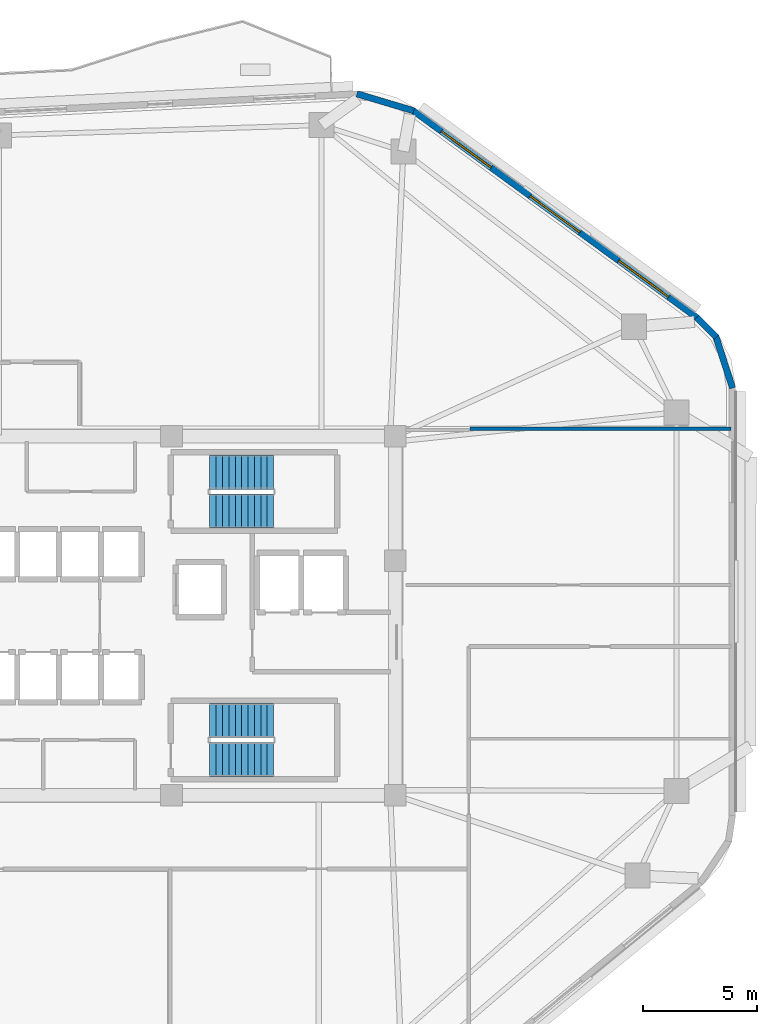
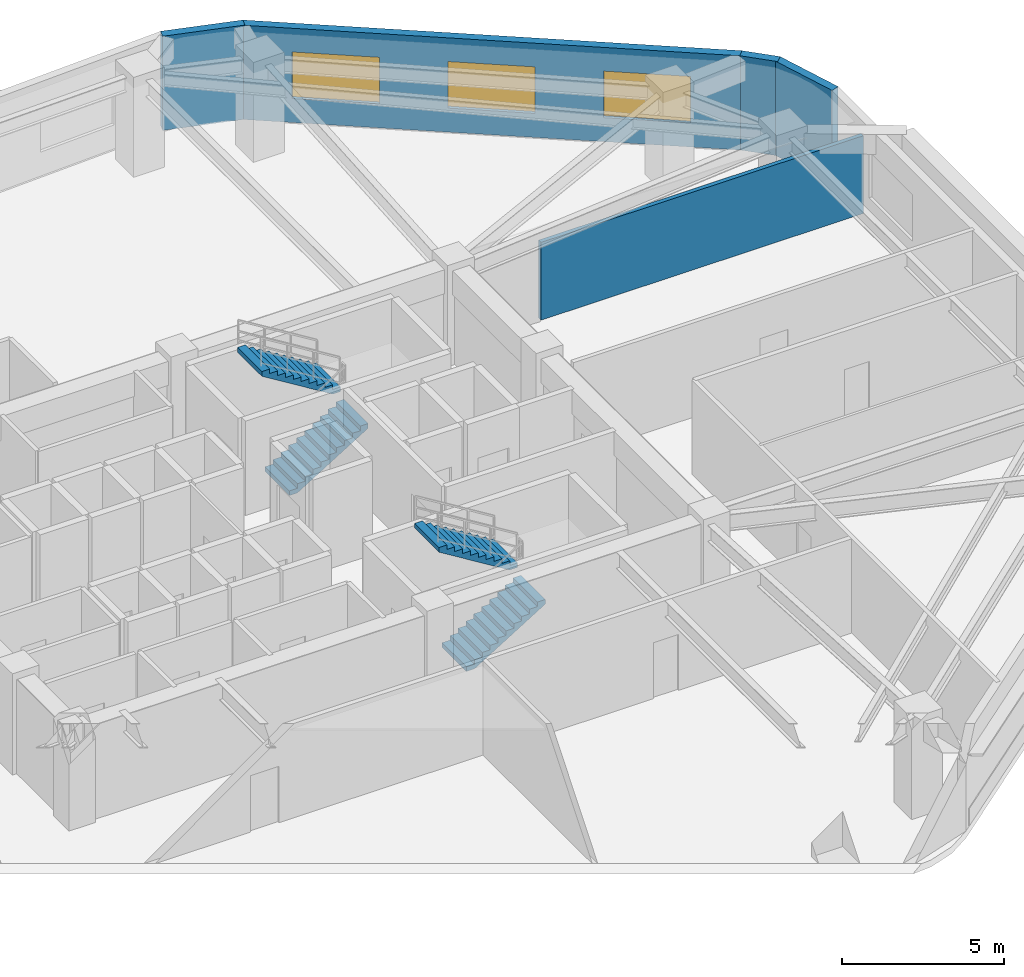
# One storey, part 6 of 9: 5 walls, 4 stair flights, 3 windows, 3 openings, 2 elements without a shape of their own.
"""IFC4 building model written with IfcOpenShell, lengths in metres."""

from ifc_helpers import new_model, si_unit, direction, frame, frame_2d, origin, place, context, subcontext, project, spatial, polyline, rectangle, outline, extrude, material, layer, layer_set, type_object, element, fill, aggregate, save


model = new_model("IFC4")

# Units and contexts
model_context = context("Model", 3, precision=1e-05, world=origin(), true_north=direction((0.0, 1.0)))
body_context = subcontext(model_context, "Body", "Model", "MODEL_VIEW")
ifc_project = project(units=[si_unit("LENGTHUNIT", "METRE"), si_unit("AREAUNIT", "SQUARE_METRE"), si_unit("VOLUMEUNIT", "CUBIC_METRE"), si_unit("PLANEANGLEUNIT", "RADIAN"), si_unit("MASSUNIT", "GRAM", prefix="KILO")], contexts=[model_context])

# Site, building, storey
site_placement = place(None, origin())
site = spatial("IfcSite", under=ifc_project, at=site_placement, CompositionType="ELEMENT")
building_placement = place(site_placement, origin())
building = spatial("IfcBuilding", under=site, at=building_placement, Name="Zulverin Broadcast Headquarters", CompositionType="ELEMENT")
storey_placement = place(building_placement, frame((0.0, 0.0, 144.0)))
storey = spatial("IfcBuildingStorey", under=building, at=storey_placement, Name="L36", CompositionType="ELEMENT", Elevation=144.0)

# Wall, openings, windows
ifc_material_1 = material(Name="Insulated pale-metal clad concrete spandrel C40/50", Category="concrete")
ifc_layer_1 = layer(ifc_material_1, 0.280029296875, Name="Insulated pale-metal clad concrete spandrel C40/50", Category="concrete")
ifc_layer_set_1 = layer_set([ifc_layer_1], Name="Insulated pale-metal clad concrete spandrel C40/50")
wall_type_1 = type_object("IfcWallType", Name="WL-EXT-280", PredefinedType="STANDARD", material=ifc_layer_set_1)
wall_1_placement = place(storey_placement, frame((61.516357421875, 38.26708984375, 0.0), z_axis=(0.0, 0.0, 1.0), x_axis=(-0.807812505785, 0.589439526582, 0.0)))
wall_1 = element("IfcWall", 1, at=wall_1_placement, inside=storey, type_object=wall_type_1, Name="L36 Pale-Metal Clad Spandrel Wall 4", PredefinedType="STANDARD", context=body_context, shape_type="SweptSolid", body=[
    extrude(rectangle(XDim=15.448486328125, YDim=0.280029296875, at=frame_2d((7.72412109375, 0.0))), origin(), (0.0, 0.0, 1.0), 3.5400390625),
])
opening_1_placement = place(wall_1_placement, frame((1.55810546875, 0.0, 0.89990234375)))
opening_1 = element("IfcOpeningElement", 2, at=opening_1_placement, cuts=wall_1, Name="Opening W-L36-E41", PredefinedType="OPENING", context=body_context, shape_type="SweptSolid", body=[
    extrude(rectangle(XDim=2.699951171875, YDim=1.75, at=frame_2d((1.35009765625, 0.875))), frame((0.0, 0.14990234375, 0.0), z_axis=(0.0, -1.0, 0.0), x_axis=(1.0, 0.0, 0.0)), (0.0, 0.0, 1.0), 0.300048828125),
])
opening_2_placement = place(wall_1_placement, frame((6.374267578125, 0.0, 0.89990234375)))
opening_2 = element("IfcOpeningElement", 3, at=opening_2_placement, cuts=wall_1, Name="Opening W-L36-E42", PredefinedType="OPENING", context=body_context, shape_type="SweptSolid", body=[
    extrude(rectangle(XDim=2.699951171875, YDim=1.75, at=frame_2d((1.35009765625, 0.875))), frame((0.0, 0.14990234375, 0.0), z_axis=(0.0, -1.0, 0.0), x_axis=(1.0, 0.0, 0.0)), (0.0, 0.0, 1.0), 0.300048828125),
])
opening_3_placement = place(wall_1_placement, frame((11.1904296875, 0.0, 0.89990234375)))
opening_3 = element("IfcOpeningElement", 4, at=opening_3_placement, cuts=wall_1, Name="Opening W-L36-E43", PredefinedType="OPENING", context=body_context, shape_type="SweptSolid", body=[
    extrude(rectangle(XDim=2.699951171875, YDim=1.75, at=frame_2d((1.35009765625, 0.875))), frame((0.0, 0.14990234375, 0.0), z_axis=(0.0, -1.0, 0.0), x_axis=(1.0, 0.0, 0.0)), (0.0, 0.0, 1.0), 0.300048828125),
])
ifc_material_2 = material(Name="Pale anodized aluminium frame with solar-control low-E double glazing", Category="aluminium")
window_type = type_object("IfcWindowType", Name="WIN-TWR-2700", PartitioningType="SINGLE_PANEL", PredefinedType="WINDOW", material=ifc_material_2)
window_1_placement = place(opening_1_placement, origin())
window_1 = element("IfcWindow", 5, at=window_1_placement, inside=storey, type_object=window_type, Name="L36 Ribbon Glazing Window 4 1", OverallHeight=1.75, OverallWidth=2.699951171875, PartitioningType="SINGLE_PANEL", PredefinedType="WINDOW", context=body_context, shape_type="SweptSolid", body=[
    extrude(rectangle(XDim=2.699951171875, YDim=1.75, at=frame_2d((1.35009765625, 0.875))), frame((0.0, 0.030029296875, 0.0), z_axis=(0.0, -1.0, 0.0), x_axis=(1.0, 0.0, 0.0)), (0.0, 0.0, 1.0), 0.06005859375),
])
fill(opening_1, window_1)
window_2_placement = place(opening_2_placement, origin())
window_2 = element("IfcWindow", 6, at=window_2_placement, inside=storey, type_object=window_type, Name="L36 Ribbon Glazing Window 4 2", OverallHeight=1.75, OverallWidth=2.699951171875, PartitioningType="SINGLE_PANEL", PredefinedType="WINDOW", context=body_context, shape_type="SweptSolid", body=[
    extrude(rectangle(XDim=2.699951171875, YDim=1.75, at=frame_2d((1.35009765625, 0.875))), frame((0.0, 0.030029296875, 0.0), z_axis=(0.0, -1.0, 0.0), x_axis=(1.0, 0.0, 0.0)), (0.0, 0.0, 1.0), 0.06005859375),
])
fill(opening_2, window_2)
window_3_placement = place(opening_3_placement, origin())
window_3 = element("IfcWindow", 7, at=window_3_placement, inside=storey, type_object=window_type, Name="L36 Ribbon Glazing Window 4 3", OverallHeight=1.75, OverallWidth=2.699951171875, PartitioningType="SINGLE_PANEL", PredefinedType="WINDOW", context=body_context, shape_type="SweptSolid", body=[
    extrude(rectangle(XDim=2.699951171875, YDim=1.75, at=frame_2d((1.35009765625, 0.875))), frame((0.0, 0.030029296875, 0.0), z_axis=(0.0, -1.0, 0.0), x_axis=(1.0, 0.0, 0.0)), (0.0, 0.0, 1.0), 0.06005859375),
])
fill(opening_3, window_3)

# Walls
wall_2_placement = place(storey_placement, frame((63.06689453125, 35.186767578125, 0.0), z_axis=(0.0, 0.0, 1.0), x_axis=(-0.308390504294, 0.951259847182, 0.0)))
element("IfcWall", 8, at=wall_2_placement, inside=storey, type_object=wall_type_1, Name="L36 Wind-Shaped Corner Spandrel Wall 3-1", PredefinedType="STANDARD", context=body_context, shape_type="SweptSolid", body=[
    extrude(rectangle(XDim=2.405029296875, YDim=0.280029296875, at=frame_2d((1.20263671875, 0.0))), origin(), (0.0, 0.0, 1.0), 3.5400390625),
])
wall_3_placement = place(storey_placement, frame((62.359130859375, 37.419189453125, 0.0), z_axis=(0.0, 0.0, 1.0), x_axis=(-0.706003104649, 0.708208737751, 0.0)))
element("IfcWall", 9, at=wall_3_placement, inside=storey, type_object=wall_type_1, Name="L36 Wind-Shaped Corner Spandrel Wall 3-2", PredefinedType="STANDARD", context=body_context, shape_type="SweptSolid", body=[
    extrude(rectangle(XDim=1.217529296875, YDim=0.280029296875, at=frame_2d((0.60888671875, 0.0))), origin(), (0.0, 0.0, 1.0), 3.5400390625),
])
wall_4_placement = place(storey_placement, frame((49.079345703125, 47.35205078125, 0.0), z_axis=(0.0, 0.0, 1.0), x_axis=(-0.958207501709, 0.286074087726, 0.0)))
element("IfcWall", 10, at=wall_4_placement, inside=storey, type_object=wall_type_1, Name="L36 Wind-Shaped Corner Spandrel Wall 4-1", PredefinedType="STANDARD", context=body_context, shape_type="SweptSolid", body=[
    extrude(rectangle(XDim=2.60302734375, YDim=0.280029296875, at=frame_2d((1.301513671875, 0.0))), origin(), (0.0, 0.0, 1.0), 3.5400390625),
])
ifc_material_3 = material(Name="Fire-rated gypsum stud partition", Category="gypsum")
ifc_layer_2 = layer(ifc_material_3, 0.14990234375, Name="Fire-rated gypsum stud partition", Category="gypsum")
ifc_layer_set_2 = layer_set([ifc_layer_2], Name="Fire-rated gypsum stud partition")
wall_type_2 = type_object("IfcWallType", Name="WL-PART-150", PredefinedType="PARTITIONING", material=ifc_layer_set_2)
wall_5_placement = place(storey_placement, frame((51.541015625, 33.39990234375, 0.0), z_axis=(0.0, 0.0, 1.0), x_axis=(1.0, 0.0, 0.0)))
element("IfcWall", 11, at=wall_5_placement, inside=storey, type_object=wall_type_2, Name="L36 Room Partition Wall RP-17", PredefinedType="PARTITIONING", context=body_context, shape_type="SweptSolid", body=[
    extrude(rectangle(XDim=11.4541015625, YDim=0.14990234375, at=frame_2d((5.72705078125, 0.0))), origin(), (0.0, 0.0, 1.0), 2.9228515625),
])

# Stair, stair flights
ifc_material_4 = material(Name="Concrete C40/50", Category="concrete")
stair_type = type_object("IfcStairType", Name="ST-CORE-1500", PredefinedType="HALF_TURN_STAIR", material=ifc_material_4)
stair_1_placement = place(storey_placement, origin())
stair_1 = element("IfcStair", 12, at=stair_1_placement, inside=storey, type_object=stair_type, Name="L36 Core Exit Stair ST-1", PredefinedType="HALF_TURN_STAIR")
stair_flight_type = type_object("IfcStairFlightType", Name="SF-CORE-1500", PredefinedType="STRAIGHT", material=ifc_material_4)
stair_flight_1_placement = place(storey_placement, frame((40.1298828125, 29.800048828125, 0.0), z_axis=(0.0, 0.0, 1.0), x_axis=(1.0, 0.0, 0.0)))
stair_flight_1 = element("IfcStairFlight", 13, at=stair_flight_1_placement, type_object=stair_flight_type, Name="ST-1 flight 1", NumberOfRisers=11, NumberOfTreads=10, PredefinedType="STRAIGHT", RiserHeight=0.172727273, TreadLength=0.28, context=body_context, shape_type="SweptSolid", body=[
    extrude(outline(polyline([(0.0, 0.0), (0.0, 0.172607421875), (0.280029296875, 0.172607421875), (0.280029296875, 0.345458984375), (0.56005859375, 0.345458984375), (0.56005859375, 0.51806640625), (0.840087890625, 0.51806640625), (0.840087890625, 0.69091796875), (1.1201171875, 0.69091796875), (1.1201171875, 0.863525390625), (1.39990234375, 0.863525390625), (1.39990234375, 1.036376953125), (1.679931640625, 1.036376953125), (1.679931640625, 1.208984375), (1.9599609375, 1.208984375), (1.9599609375, 1.3818359375), (2.239990234375, 1.3818359375), (2.239990234375, 1.554443359375), (2.52001953125, 1.554443359375), (2.52001953125, 1.727294921875), (2.800048828125, 1.727294921875), (2.800048828125, 1.89990234375), (2.800048828125, 1.551025390625), (0.285400390625, 0.0), (0.0, 0.0)])), frame((0.0, 0.75, 0.0), z_axis=(0.0, -1.0, 0.0), x_axis=(1.0, 0.0, 0.0)), (0.0, 0.0, 1.0), 1.5),
])
stair_flight_2_placement = place(storey_placement, frame((42.929931640625, 31.5, 1.89990234375), z_axis=(0.0, 0.0, 1.0), x_axis=(-1.0, 0.0, 0.0)))
stair_flight_2 = element("IfcStairFlight", 14, at=stair_flight_2_placement, type_object=stair_flight_type, Name="ST-1 flight 2", NumberOfRisers=11, NumberOfTreads=10, PredefinedType="STRAIGHT", RiserHeight=0.172727273, TreadLength=0.28, context=body_context, shape_type="SweptSolid", body=[
    extrude(outline(polyline([(0.0, 0.0), (0.0, 0.172607421875), (0.280029296875, 0.172607421875), (0.280029296875, 0.345458984375), (0.56005859375, 0.345458984375), (0.56005859375, 0.51806640625), (0.840087890625, 0.51806640625), (0.840087890625, 0.69091796875), (1.1201171875, 0.69091796875), (1.1201171875, 0.863525390625), (1.39990234375, 0.863525390625), (1.39990234375, 1.036376953125), (1.679931640625, 1.036376953125), (1.679931640625, 1.208984375), (1.9599609375, 1.208984375), (1.9599609375, 1.3818359375), (2.239990234375, 1.3818359375), (2.239990234375, 1.554443359375), (2.52001953125, 1.554443359375), (2.52001953125, 1.727294921875), (2.800048828125, 1.727294921875), (2.800048828125, 1.89990234375), (2.800048828125, 1.551025390625), (0.285400390625, 0.0), (0.0, 0.0)])), frame((0.0, 0.75, 0.0), z_axis=(0.0, -1.0, 0.0), x_axis=(1.0, 0.0, 0.0)), (0.0, 0.0, 1.0), 1.5),
])
aggregate(stair_1, [stair_flight_1, stair_flight_2])

stair_2_placement = place(storey_placement, origin())
stair_2 = element("IfcStair", 15, at=stair_2_placement, inside=storey, type_object=stair_type, Name="L36 Core Exit Stair ST-2", PredefinedType="HALF_TURN_STAIR")
stair_flight_3_placement = place(storey_placement, frame((40.1298828125, 18.89990234375, 0.0), z_axis=(0.0, 0.0, 1.0), x_axis=(1.0, 0.0, 0.0)))
stair_flight_3 = element("IfcStairFlight", 16, at=stair_flight_3_placement, type_object=stair_flight_type, Name="ST-2 flight 1", NumberOfRisers=11, NumberOfTreads=10, PredefinedType="STRAIGHT", RiserHeight=0.172727273, TreadLength=0.28, context=body_context, shape_type="SweptSolid", body=[
    extrude(outline(polyline([(0.0, 0.0), (0.0, 0.172607421875), (0.280029296875, 0.172607421875), (0.280029296875, 0.345458984375), (0.56005859375, 0.345458984375), (0.56005859375, 0.51806640625), (0.840087890625, 0.51806640625), (0.840087890625, 0.69091796875), (1.1201171875, 0.69091796875), (1.1201171875, 0.863525390625), (1.39990234375, 0.863525390625), (1.39990234375, 1.036376953125), (1.679931640625, 1.036376953125), (1.679931640625, 1.208984375), (1.9599609375, 1.208984375), (1.9599609375, 1.3818359375), (2.239990234375, 1.3818359375), (2.239990234375, 1.554443359375), (2.52001953125, 1.554443359375), (2.52001953125, 1.727294921875), (2.800048828125, 1.727294921875), (2.800048828125, 1.89990234375), (2.800048828125, 1.551025390625), (0.285400390625, 0.0), (0.0, 0.0)])), frame((0.0, 0.75, 0.0), z_axis=(0.0, -1.0, 0.0), x_axis=(1.0, 0.0, 0.0)), (0.0, 0.0, 1.0), 1.5),
])
stair_flight_4_placement = place(storey_placement, frame((42.929931640625, 20.60009765625, 1.89990234375), z_axis=(0.0, 0.0, 1.0), x_axis=(-1.0, 0.0, 0.0)))
stair_flight_4 = element("IfcStairFlight", 17, at=stair_flight_4_placement, type_object=stair_flight_type, Name="ST-2 flight 2", NumberOfRisers=11, NumberOfTreads=10, PredefinedType="STRAIGHT", RiserHeight=0.172727273, TreadLength=0.28, context=body_context, shape_type="SweptSolid", body=[
    extrude(outline(polyline([(0.0, 0.0), (0.0, 0.172607421875), (0.280029296875, 0.172607421875), (0.280029296875, 0.345458984375), (0.56005859375, 0.345458984375), (0.56005859375, 0.51806640625), (0.840087890625, 0.51806640625), (0.840087890625, 0.69091796875), (1.1201171875, 0.69091796875), (1.1201171875, 0.863525390625), (1.39990234375, 0.863525390625), (1.39990234375, 1.036376953125), (1.679931640625, 1.036376953125), (1.679931640625, 1.208984375), (1.9599609375, 1.208984375), (1.9599609375, 1.3818359375), (2.239990234375, 1.3818359375), (2.239990234375, 1.554443359375), (2.52001953125, 1.554443359375), (2.52001953125, 1.727294921875), (2.800048828125, 1.727294921875), (2.800048828125, 1.89990234375), (2.800048828125, 1.551025390625), (0.285400390625, 0.0), (0.0, 0.0)])), frame((0.0, 0.75, 0.0), z_axis=(0.0, -1.0, 0.0), x_axis=(1.0, 0.0, 0.0)), (0.0, 0.0, 1.0), 1.5),
])
aggregate(stair_2, [stair_flight_3, stair_flight_4])

save(model, "model.ifc")
